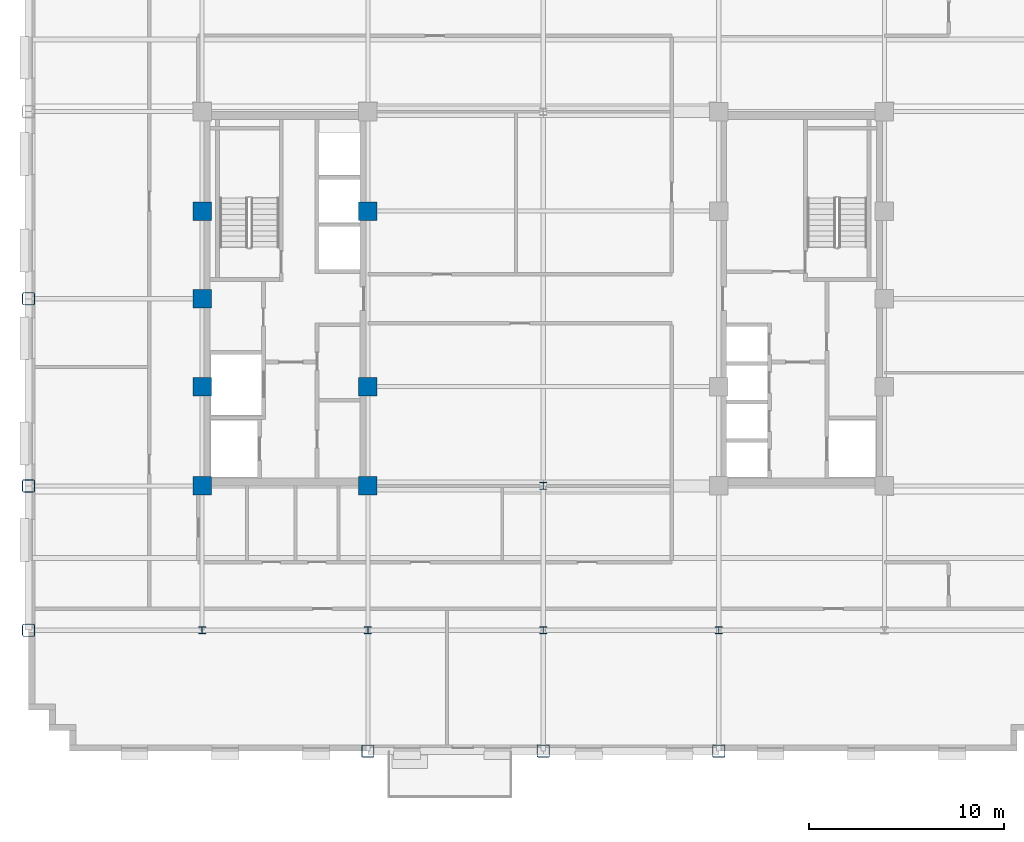
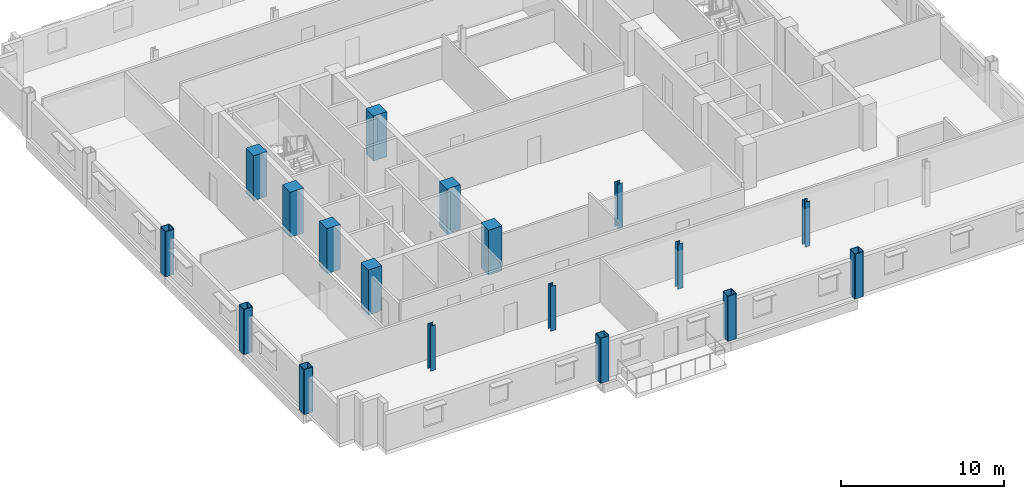
# One storey, part 1 of 14: 18 columns.
"""IFC4 building model written with IfcOpenShell, lengths in metres."""

import ifcopenshell
import ifcopenshell.guid

model = None  # the IFC model being written
_history = None  # IfcOwnerHistory: only IFC2X3 demands one
_inside = {}  # id of a spatial element -> (the spatial element, [elements in it])
_under = {}  # id of a project, library or spatial element -> (it, [spatial elements below it])
_declared = {}  # id of a project -> (the project, [libraries it declares])
_typed = {}  # id of a type object -> (the type object, [elements of that type])
_made_of = {}  # id of a material, layer set ... -> (it, [elements and type objects made of it])


def new_model(schema):
    """Start an empty IFC model of exactly this schema.

    Asked for "IFC4X3", IfcOpenShell would pick the latest addendum, in which some entities
    have other attributes; the version numbers below select the first issue.
    IFC2X3 requires an IfcOwnerHistory on every rooted entity: one is made here for all.
    """
    global model, _history
    if schema == "IFC4X3":
        model = ifcopenshell.file(schema_version=(4, 3, 0, 0))
    else:
        model = ifcopenshell.file(schema=schema)
    _inside.clear()
    _under.clear()
    _declared.clear()
    _typed.clear()
    _made_of.clear()
    _history = None
    if model.schema == "IFC2X3":
        org = make("IfcOrganization", Name="unknown")
        user = make(
            "IfcPersonAndOrganization",
            ThePerson=make("IfcPerson", FamilyName="unknown"),
            TheOrganization=org,
        )
        app = make(
            "IfcApplication",
            ApplicationDeveloper=org,
            Version="unknown",
            ApplicationFullName="unknown",
            ApplicationIdentifier="unknown",
        )
        _history = make(
            "IfcOwnerHistory",
            OwningUser=user,
            OwningApplication=app,
            ChangeAction="ADDED",
            CreationDate=0,
        )
    return model


def make(cls, **values):
    """One entity of the class cls with the attributes given. An attribute that is None is left unset."""
    return model.create_entity(
        cls, **{name: value for name, value in values.items() if value is not None}
    )


def rooted(cls, **values):
    """An entity with a GlobalId (a new one), such as an element, a storey or a relation."""
    return make(cls, GlobalId=ifcopenshell.guid.new(), OwnerHistory=_history, **values)


def si_unit(unit_type, name, prefix=None):
    """IfcSIUnit, for example si_unit("LENGTHUNIT", "METRE", prefix="MILLI")."""
    return make("IfcSIUnit", UnitType=unit_type, Prefix=prefix, Name=name)


def assignment(units):
    """IfcUnitAssignment: the units of a project."""
    return None if units is None else make("IfcUnitAssignment", Units=units)


def point(xyz):
    """IfcCartesianPoint."""
    return None if xyz is None else make("IfcCartesianPoint", Coordinates=xyz)


def direction(xyz):
    """IfcDirection."""
    return None if xyz is None else make("IfcDirection", DirectionRatios=xyz)


def frame(location, z_axis=None, x_axis=None):
    """IfcAxis2Placement3D, a coordinate frame: its origin and axes. An axis left out is left unset."""
    return make(
        "IfcAxis2Placement3D",
        Location=point(location),
        Axis=direction(z_axis),
        RefDirection=direction(x_axis),
    )


def frame_2d(location, x_axis=None):
    """IfcAxis2Placement2D, a coordinate frame in the plane: its origin and x axis."""
    return make(
        "IfcAxis2Placement2D", Location=point(location), RefDirection=direction(x_axis)
    )


def origin():
    """The frame at (0, 0, 0) with its axes left unset."""
    return frame((0.0, 0.0, 0.0))


def origin_2d():
    """The frame at (0, 0) in the plane with its x axis left unset."""
    return frame_2d((0.0, 0.0))


def place(relative_to, where):
    """IfcLocalPlacement: puts the frame where relative to a parent placement (None: the world)."""
    return make(
        "IfcLocalPlacement", PlacementRelTo=relative_to, RelativePlacement=where
    )


def context(
    kind, dimensions, precision=None, world=None, true_north=None, identifier=None
):
    """IfcGeometricRepresentationContext, for example the 3D "Model" context."""
    return make(
        "IfcGeometricRepresentationContext",
        ContextIdentifier=identifier,
        ContextType=kind,
        CoordinateSpaceDimension=dimensions,
        Precision=precision,
        WorldCoordinateSystem=world,
        TrueNorth=true_north,
    )


def subcontext(parent, identifier, kind, view, scale=None):
    """IfcGeometricRepresentationSubContext, for example "Body" below "Model"."""
    return make(
        "IfcGeometricRepresentationSubContext",
        ContextIdentifier=identifier,
        ContextType=kind,
        ParentContext=parent,
        TargetScale=scale,
        TargetView=view,
    )


def project(units=None, contexts=None):
    """IfcProject with its units and contexts."""
    return rooted(
        "IfcProject",
        Name="project",
        RepresentationContexts=contexts,
        UnitsInContext=assignment(units),
    )


def spatial(cls, under=None, at=None, **own):
    """A site, building, storey or space (cls), placed at a placement, below another one or the project."""
    s = rooted(cls, ObjectPlacement=at, **own)
    if under is not None:
        _under.setdefault(under.id(), (under, []))[1].append(s)
    return s


def profile(cls, at=None, kind="AREA", **sizes):
    """A parametric profile (cls). Its sizes go by their IFC names, for example OverallWidth=200.0."""
    return make(cls, ProfileType=kind, Position=at, **sizes)


def rectangle(**sizes):
    """IfcRectangleProfileDef."""
    return profile("IfcRectangleProfileDef", **sizes)


def hollow_rectangle(**sizes):
    """IfcRectangleHollowProfileDef."""
    return profile("IfcRectangleHollowProfileDef", **sizes)


def i_section(**sizes):
    """IfcIShapeProfileDef."""
    return profile("IfcIShapeProfileDef", **sizes)


def extrude(swept, where, along, depth):
    """IfcExtrudedAreaSolid: the profile swept, set in the frame where, extruded along a direction by depth."""
    return make(
        "IfcExtrudedAreaSolid",
        SweptArea=swept,
        Position=where,
        ExtrudedDirection=direction(along),
        Depth=depth,
    )


def shape(context_of_items, identifier, shape_type, items):
    """IfcShapeRepresentation: the items that make up one representation, for example the "Body"."""
    return make(
        "IfcShapeRepresentation",
        ContextOfItems=context_of_items,
        RepresentationIdentifier=identifier,
        RepresentationType=shape_type,
        Items=items,
    )


def material(Name=None, Category=None):
    """IfcMaterial."""
    return make("IfcMaterial", Name=Name, Category=Category)


def material_profile(
    of_material, cross_section, Name=None, Category=None, Priority=None
):
    """IfcMaterialProfile: a cross section and its material."""
    return make(
        "IfcMaterialProfile",
        Name=Name,
        Material=of_material,
        Profile=cross_section,
        Priority=Priority,
        Category=Category,
    )


def profile_set(profiles, Name=None, composite=None):
    """IfcMaterialProfileSet."""
    return make(
        "IfcMaterialProfileSet",
        Name=Name,
        MaterialProfiles=profiles,
        CompositeProfile=composite,
    )


def made_of(thing, what):
    """Note that an element or type object is made of a material, layer set ...; save() writes the relation."""
    if what is not None:
        _made_of.setdefault(what.id(), (what, []))[1].append(thing)
    return thing


def type_object(cls, material=None, **own):
    """A type object (cls), such as IfcWallType, which elements share."""
    return made_of(rooted(cls, **own), material)


def element(
    cls,
    number,
    at=None,
    inside=None,
    cuts=None,
    type_object=None,
    material=None,
    context=None,
    identifier="Body",
    shape_type=None,
    held_by="IfcProductDefinitionShape",
    body=None,
    shapes=None,
    **own,
):
    """One element of the class cls, such as IfcWall. Its Tag is "e" and its number.

    at: its placement. inside: the storey or other place that contains it. cuts: it is an
    opening in that element (IfcRelVoidsElement). A single representation is given by context,
    identifier, shape_type and body (its items); several are given by shapes. held_by: the class
    of the entity that holds the representations. save() writes the other relations.
    """
    e = rooted(cls, Tag="e%d" % number, ObjectPlacement=at, **own)
    if body is not None:
        shapes = [shape(context, identifier, shape_type, body)]
    if shapes is not None:
        e.Representation = make(held_by, Representations=shapes)
    if inside is not None:
        _inside.setdefault(inside.id(), (inside, []))[1].append(e)
    if cuts is not None:
        rooted(
            "IfcRelVoidsElement", RelatingBuildingElement=cuts, RelatedOpeningElement=e
        )
    if type_object is not None:
        _typed.setdefault(type_object.id(), (type_object, []))[1].append(e)
    return made_of(e, material)


def aggregate(whole, parts):
    """IfcRelAggregates: a whole, such as a stair, and the parts it consists of."""
    return rooted("IfcRelAggregates", RelatingObject=whole, RelatedObjects=parts)


def save(model, path):
    """Write the relations noted so far, then the file.

    IfcRelAggregates (storeys below a building ...), IfcRelContainedInSpatialStructure (elements
    in a storey), IfcRelDefinesByType, IfcRelAssociatesMaterial and IfcRelDeclares: one each for
    every whole, place, type object, material and project.
    """
    for whole, parts in _under.values():
        aggregate(whole, parts)
    for where, things in _inside.values():
        rooted(
            "IfcRelContainedInSpatialStructure",
            RelatedElements=things,
            RelatingStructure=where,
        )
    for kind, things in _typed.values():
        rooted("IfcRelDefinesByType", RelatedObjects=things, RelatingType=kind)
    for what, things in _made_of.values():
        rooted("IfcRelAssociatesMaterial", RelatedObjects=things, RelatingMaterial=what)
    for by, libraries in _declared.values():
        rooted("IfcRelDeclares", RelatingContext=by, RelatedDefinitions=libraries)
    model.write(path)


model = new_model("IFC4")

# Units and contexts
model_context = context("Model", 3, precision=1e-05, world=origin(), true_north=direction((0.0, 1.0)))
body_context = subcontext(model_context, "Body", "Model", "MODEL_VIEW")
ifc_project = project(units=[si_unit("LENGTHUNIT", "METRE"), si_unit("AREAUNIT", "SQUARE_METRE"), si_unit("VOLUMEUNIT", "CUBIC_METRE"), si_unit("PLANEANGLEUNIT", "RADIAN"), si_unit("MASSUNIT", "GRAM", prefix="KILO")], contexts=[model_context])

# Site, building, storey
site_placement = place(None, origin())
site = spatial("IfcSite", under=ifc_project, at=site_placement, CompositionType="ELEMENT")
building_placement = place(site_placement, origin())
building = spatial("IfcBuilding", under=site, at=building_placement, Name="Nuvemarco Arch Tower", CompositionType="ELEMENT")
storey_placement = place(building_placement, frame((0.0, 0.0, 134.800048828125)))
storey = spatial("IfcBuildingStorey", under=building, at=storey_placement, Name="L35", CompositionType="ELEMENT", Elevation=134.800048828125)

# Columns
ifc_material_1 = material(Name="Concrete C50/60", Category="concrete")
ifc_material_profile_1 = material_profile(ifc_material_1, rectangle(XDim=0.949951171875, YDim=0.949951171875, at=origin_2d()), Name="RC-COL-950x950")
ifc_profile_set_1 = profile_set([ifc_material_profile_1], Name="Concrete C50/60")
column_type_1 = type_object("IfcColumnType", Name="COL-CORE-950", PredefinedType="COLUMN", material=ifc_profile_set_1)
for number, where, z_axis, x_axis, name in (
    (1, (-17.5, -9.60009765625, 0.0), (0.0, 0.0, 1.0), (1.0, 0.0, 0.0), "L35 column CC_-17.5_-9.6"),
    (2, (-17.5, -4.5, 0.0), (0.0, 0.0, 1.0), (1.0, 0.0, 0.0), "L35 column CC_-17.5_-4.5"),
    (3, (-17.5, 4.5, 0.0), (0.0, 0.0, 1.0), (1.0, 0.0, 0.0), "L35 column CC_-17.5_+4.5"),
    (4, (-9.0, -9.60009765625, 0.0), (0.0, 0.0, 1.0), (1.0, 0.0, 0.0), "L35 column CC_-9.0_-9.6"),
    (5, (-9.0, -4.5, 0.0), (0.0, 0.0, 1.0), (1.0, 0.0, 0.0), "L35 column CC_-9.0_-4.5"),
    (6, (-9.0, 4.5, 0.0), (0.0, 0.0, 1.0), (1.0, 0.0, 0.0), "L35 column CC_-9.0_+4.5"),
    (7, (-17.5, 0.0, 0.0), (0.0, 0.0, 1.0), (1.0, 0.0, 0.0), "L35 column CC_-17.5_+0.0"),
):
    element("IfcColumn", number, at=place(storey_placement, frame(where, z_axis=z_axis, x_axis=x_axis)), inside=storey, type_object=column_type_1, Name=name, PredefinedType="COLUMN", context=body_context, shape_type="SweptSolid", body=[
        extrude(rectangle(XDim=0.949951171875, YDim=0.949951171875, at=origin_2d()), origin(), (0.0, 0.0, 1.0), 3.369873046875),
    ])
ifc_material_2 = material(Name="Steel S355", Category="steel")
ifc_material_profile_2 = material_profile(ifc_material_2, hollow_rectangle(XDim=0.64990234375, YDim=0.64990234375, WallThickness=0.0400390625, InnerFilletRadius=0.0400390625, OuterFilletRadius=0.080078125, at=origin_2d()), Name="SHS650x650x40")
ifc_profile_set_2 = profile_set([ifc_material_profile_2], Name="Steel S355")
column_type_2 = type_object("IfcColumnType", Name="COL-EXO-650", PredefinedType="COLUMN", material=ifc_profile_set_2)
for number, where, z_axis, x_axis, name in (
    (8, (-26.39990234375, -17.0, 0.0), (0.0, 0.0, 1.0), (1.0, 0.0, 0.0), "L35 column CX_-26.4_-17.0"),
    (9, (-26.39990234375, -9.60009765625, 0.0), (0.0, 0.0, 1.0), (1.0, 0.0, 0.0), "L35 column CX_-26.4_-9.6"),
    (10, (-26.39990234375, 0.0, 0.0), (0.0, 0.0, 1.0), (1.0, 0.0, 0.0), "L35 column CX_-26.4_+0.0"),
    (11, (-9.0, -23.199951171875, 0.0), (0.0, 0.0, 1.0), (1.0, 0.0, 0.0), "L35 column CY_-9.0_-23.2"),
    (12, (0.0, -23.199951171875, 0.0), (0.0, 0.0, 1.0), (1.0, 0.0, 0.0), "L35 column CY_+0.0_-23.2"),
    (13, (9.0, -23.199951171875, 0.0), (0.0, 0.0, 1.0), (1.0, 0.0, 0.0), "L35 column CY_+9.0_-23.2"),
):
    element("IfcColumn", number, at=place(storey_placement, frame(where, z_axis=z_axis, x_axis=x_axis)), inside=storey, type_object=column_type_2, Name=name, PredefinedType="COLUMN", context=body_context, shape_type="SweptSolid", body=[
        extrude(hollow_rectangle(XDim=0.64990234375, YDim=0.64990234375, WallThickness=0.0400390625, InnerFilletRadius=0.0400390625, OuterFilletRadius=0.080078125, at=origin_2d()), origin(), (0.0, 0.0, 1.0), 3.369873046875),
    ])
ifc_material_profile_3 = material_profile(ifc_material_2, i_section(OverallWidth=0.360107421875, OverallDepth=0.360107421875, WebThickness=0.0205078125, FlangeThickness=0.0205078125, FilletRadius=0.01806640625, at=origin_2d()), Name="HP360x174")
ifc_profile_set_3 = profile_set([ifc_material_profile_3], Name="Steel S355")
column_type_3 = type_object("IfcColumnType", Name="COL-STL-HP360", PredefinedType="COLUMN", material=ifc_profile_set_3)
for number, where, z_axis, x_axis, name in (
    (14, (0.0, -17.0, 0.0), (0.0, 0.0, 1.0), (1.0, 0.0, 0.0), "L35 column CI_+0.0_-17.0"),
    (15, (0.0, -9.60009765625, 0.0), (0.0, 0.0, 1.0), (1.0, 0.0, 0.0), "L35 column CI_+0.0_-9.6"),
    (16, (-17.5, -17.0, 0.0), (0.0, 0.0, 1.0), (1.0, 0.0, 0.0), "L35 column CI_-17.5_-17.0"),
    (17, (-9.0, -17.0, 0.0), (0.0, 0.0, 1.0), (1.0, 0.0, 0.0), "L35 column CI_-9.0_-17.0"),
    (18, (9.0, -17.0, 0.0), (0.0, 0.0, 1.0), (1.0, 0.0, 0.0), "L35 column CI_+9.0_-17.0"),
):
    element("IfcColumn", number, at=place(storey_placement, frame(where, z_axis=z_axis, x_axis=x_axis)), inside=storey, type_object=column_type_3, Name=name, PredefinedType="COLUMN", context=body_context, shape_type="SweptSolid", body=[
        extrude(i_section(OverallWidth=0.360107421875, OverallDepth=0.360107421875, WebThickness=0.0205078125, FlangeThickness=0.0205078125, FilletRadius=0.01806640625, at=origin_2d()), origin(), (0.0, 0.0, 1.0), 3.369873046875),
    ])

save(model, "model.ifc")
